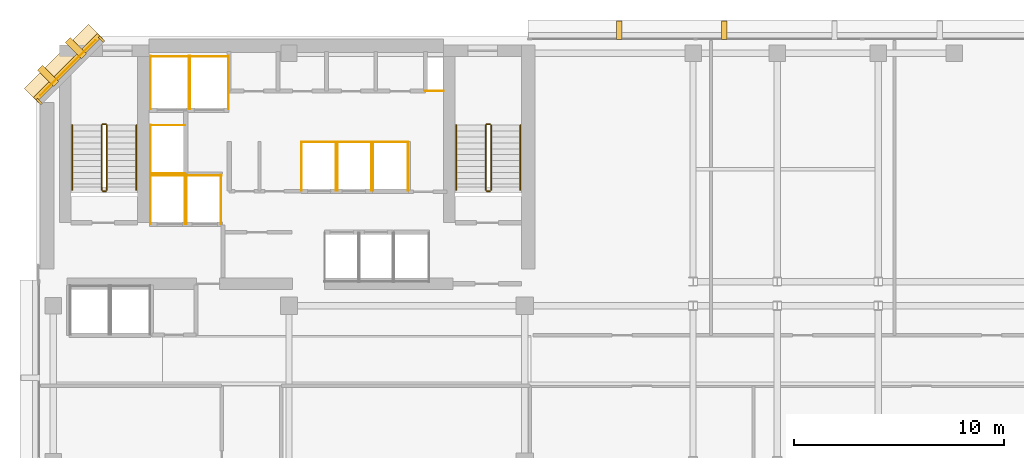
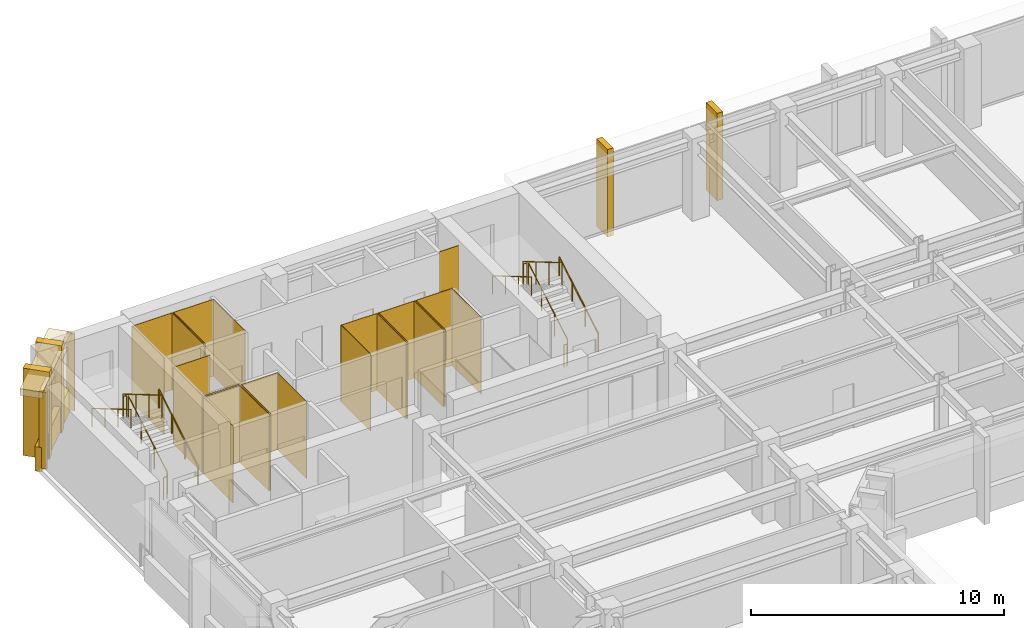
# One storey, part 11 of 12: 34 coverings, 12 railings.
"""IFC4 building model written with IfcOpenShell, lengths in metres."""

from ifc_helpers import new_model, si_unit, direction, frame, origin, origin_2d, place, context, subcontext, project, spatial, polyline, rectangle, circle, outline, extrude, material, layer, layer_set, type_object, element, save


model = new_model("IFC4")

# Units and contexts
model_context = context("Model", 3, precision=1e-05, world=origin(), true_north=direction((0.0, 1.0)))
body_context = subcontext(model_context, "Body", "Model", "MODEL_VIEW")
ifc_project = project(units=[si_unit("LENGTHUNIT", "METRE"), si_unit("AREAUNIT", "SQUARE_METRE"), si_unit("VOLUMEUNIT", "CUBIC_METRE"), si_unit("PLANEANGLEUNIT", "RADIAN"), si_unit("MASSUNIT", "GRAM", prefix="KILO")], contexts=[model_context])

# Site, building, storey
site_placement = place(None, origin())
site = spatial("IfcSite", under=ifc_project, at=site_placement, CompositionType="ELEMENT")
building_placement = place(site_placement, origin())
building = spatial("IfcBuilding", under=site, at=building_placement, Name="Kefirva Bronze Tower", CompositionType="ELEMENT")
storey_placement = place(building_placement, frame((0.0, 0.0, 203.280029296875)))
storey = spatial("IfcBuildingStorey", under=building, at=storey_placement, Name="L49", CompositionType="ELEMENT", Elevation=203.280029296875)

# Coverings
ifc_material_1 = material(Name="Bronze anodised aluminium", Category="aluminium")
ifc_layer_1 = layer(ifc_material_1, 0.02001953125, Name="Bronze anodised aluminium")
ifc_layer_set_1 = layer_set([ifc_layer_1], Name="Bronze anodised aluminium")
covering_type_1 = type_object("IfcCoveringType", Name="Anodised Bronze Spandrel Cladding 20mm", PredefinedType="CLADDING", material=ifc_layer_set_1)
covering_1_placement = place(storey_placement, frame((1.492919921875, 44.507080078125, 3.2900390625), z_axis=(0.0, 0.0, 1.0), x_axis=(-0.707106781187, -0.707106781187, 0.0)))
element("IfcCovering", 1, at=covering_1_placement, inside=storey, type_object=covering_type_1, Name="L49 Bronze Spandrel Cladding 6", PredefinedType="CLADDING", context=body_context, shape_type="SweptSolid", body=[
    extrude(rectangle(XDim=3.719482421875, YDim=0.02001953125, at=origin_2d()), origin(), (0.0, 0.0, 1.0), 0.39990234375),
])
for number, where, z_axis, x_axis, name in (
    (2, (3.08837890625, 45.862060546875, 0.0), (0.0, 0.0, 1.0), (-0.707106781187, -0.707106781187, 0.0), "L49 Facade Joint Closure Panel 6S"),
    (3, (0.137939453125, 42.91162109375, 0.0), (0.0, 0.0, 1.0), (-0.707106781187, -0.707106781187, 0.0), "L49 Facade Joint Closure Panel 6E"),
):
    element("IfcCovering", number, at=place(storey_placement, frame(where, z_axis=z_axis, x_axis=x_axis)), inside=storey, type_object=covering_type_1, Name=name, PredefinedType="CLADDING", context=body_context, shape_type="SweptSolid", body=[
        extrude(rectangle(XDim=0.10009765625, YDim=0.320068359375, at=origin_2d()), origin(), (0.0, 0.0, 1.0), 3.7099609375),
    ])
covering_2_placement = place(storey_placement, frame((1.4716796875, 44.5283203125, -0.16015625), z_axis=(0.0, 0.0, 1.0), x_axis=(-0.707106781187, -0.707106781187, 0.0)))
element("IfcCovering", 4, at=covering_2_placement, inside=storey, type_object=covering_type_1, Name="L49 Streamline Horizontal Spandrel Band 9", PredefinedType="CLADDING", context=body_context, shape_type="SweptSolid", body=[
    extrude(rectangle(XDim=4.28271484375, YDim=0.280029296875, at=origin_2d()), origin(), (0.0, 0.0, 1.0), 1.179931640625),
])
covering_3_placement = place(storey_placement, origin())
element("IfcCovering", 5, at=covering_3_placement, inside=storey, type_object=covering_type_1, Name="L49 Lift FF1 Hoistway Liner N", PredefinedType="CLADDING", context=body_context, shape_type="SweptSolid", body=[
    extrude(outline(polyline([(5.39990234375, 39.389892578125), (7.080078125, 39.389892578125), (7.080078125, 39.409912109375), (5.39990234375, 39.409912109375), (5.39990234375, 39.389892578125)])), origin(), (0.0, 0.0, 1.0), 3.7099609375),
])
covering_4_placement = place(storey_placement, origin())
element("IfcCovering", 6, at=covering_4_placement, inside=storey, type_object=covering_type_1, Name="L49 Lift FF1 Hoistway Liner W", PredefinedType="CLADDING", context=body_context, shape_type="SweptSolid", body=[
    extrude(outline(polyline([(5.409912109375, 37.080078125), (5.429931640625, 37.080078125), (5.429931640625, 39.419921875), (5.409912109375, 39.419921875), (5.409912109375, 37.080078125)])), origin(), (0.0, 0.0, 1.0), 3.7099609375),
])
covering_5_placement = place(storey_placement, origin())
element("IfcCovering", 7, at=covering_5_placement, inside=storey, type_object=covering_type_1, Name="L49 Lift FF1 Hoistway Liner E", PredefinedType="CLADDING", context=body_context, shape_type="SweptSolid", body=[
    extrude(outline(polyline([(7.050048828125, 37.080078125), (7.070068359375, 37.080078125), (7.070068359375, 39.419921875), (7.050048828125, 39.419921875), (7.050048828125, 37.080078125)])), origin(), (0.0, 0.0, 1.0), 3.7099609375),
])
covering_6_placement = place(storey_placement, origin())
element("IfcCovering", 8, at=covering_6_placement, inside=storey, type_object=covering_type_1, Name="L49 Lift FF2 Hoistway Liner N", PredefinedType="CLADDING", context=body_context, shape_type="SweptSolid", body=[
    extrude(outline(polyline([(7.1201171875, 39.389892578125), (8.800048828125, 39.389892578125), (8.800048828125, 39.409912109375), (7.1201171875, 39.409912109375), (7.1201171875, 39.389892578125)])), origin(), (0.0, 0.0, 1.0), 3.7099609375),
])
covering_7_placement = place(storey_placement, origin())
element("IfcCovering", 9, at=covering_7_placement, inside=storey, type_object=covering_type_1, Name="L49 Lift FF2 Hoistway Liner W", PredefinedType="CLADDING", context=body_context, shape_type="SweptSolid", body=[
    extrude(outline(polyline([(7.1298828125, 37.080078125), (7.14990234375, 37.080078125), (7.14990234375, 39.419921875), (7.1298828125, 39.419921875), (7.1298828125, 37.080078125)])), origin(), (0.0, 0.0, 1.0), 3.7099609375),
])
covering_8_placement = place(storey_placement, origin())
element("IfcCovering", 10, at=covering_8_placement, inside=storey, type_object=covering_type_1, Name="L49 Lift FF2 Hoistway Liner E", PredefinedType="CLADDING", context=body_context, shape_type="SweptSolid", body=[
    extrude(outline(polyline([(8.77001953125, 37.080078125), (8.7900390625, 37.080078125), (8.7900390625, 39.419921875), (8.77001953125, 39.419921875), (8.77001953125, 37.080078125)])), origin(), (0.0, 0.0, 1.0), 3.7099609375),
])
covering_9_placement = place(storey_placement, origin())
element("IfcCovering", 11, at=covering_9_placement, inside=storey, type_object=covering_type_1, Name="L49 Lift SV1 Hoistway Liner N", PredefinedType="CLADDING", context=body_context, shape_type="SweptSolid", body=[
    extrude(outline(polyline([(5.39990234375, 45.0400390625), (7.260009765625, 45.0400390625), (7.260009765625, 45.06005859375), (5.39990234375, 45.06005859375), (5.39990234375, 45.0400390625)])), origin(), (0.0, 0.0, 1.0), 3.7099609375),
])
covering_10_placement = place(storey_placement, origin())
element("IfcCovering", 12, at=covering_10_placement, inside=storey, type_object=covering_type_1, Name="L49 Lift SV1 Hoistway Liner W", PredefinedType="CLADDING", context=body_context, shape_type="SweptSolid", body=[
    extrude(outline(polyline([(5.409912109375, 42.530029296875), (5.429931640625, 42.530029296875), (5.429931640625, 45.070068359375), (5.409912109375, 45.070068359375), (5.409912109375, 42.530029296875)])), origin(), (0.0, 0.0, 1.0), 3.7099609375),
])
covering_11_placement = place(storey_placement, origin())
element("IfcCovering", 13, at=covering_11_placement, inside=storey, type_object=covering_type_1, Name="L49 Lift SV1 Hoistway Liner E", PredefinedType="CLADDING", context=body_context, shape_type="SweptSolid", body=[
    extrude(outline(polyline([(7.22998046875, 42.530029296875), (7.25, 42.530029296875), (7.25, 45.070068359375), (7.22998046875, 45.070068359375), (7.22998046875, 42.530029296875)])), origin(), (0.0, 0.0, 1.0), 3.7099609375),
])
covering_12_placement = place(storey_placement, origin())
element("IfcCovering", 14, at=covering_12_placement, inside=storey, type_object=covering_type_1, Name="L49 Lift SV2 Hoistway Liner N", PredefinedType="CLADDING", context=body_context, shape_type="SweptSolid", body=[
    extrude(outline(polyline([(7.280029296875, 45.0400390625), (9.139892578125, 45.0400390625), (9.139892578125, 45.06005859375), (7.280029296875, 45.06005859375), (7.280029296875, 45.0400390625)])), origin(), (0.0, 0.0, 1.0), 3.7099609375),
])
covering_13_placement = place(storey_placement, origin())
element("IfcCovering", 15, at=covering_13_placement, inside=storey, type_object=covering_type_1, Name="L49 Lift SV2 Hoistway Liner W", PredefinedType="CLADDING", context=body_context, shape_type="SweptSolid", body=[
    extrude(outline(polyline([(7.2900390625, 42.530029296875), (7.31005859375, 42.530029296875), (7.31005859375, 45.070068359375), (7.2900390625, 45.070068359375), (7.2900390625, 42.530029296875)])), origin(), (0.0, 0.0, 1.0), 3.7099609375),
])
covering_14_placement = place(storey_placement, origin())
element("IfcCovering", 16, at=covering_14_placement, inside=storey, type_object=covering_type_1, Name="L49 Lift SV2 Hoistway Liner E", PredefinedType="CLADDING", context=body_context, shape_type="SweptSolid", body=[
    extrude(outline(polyline([(9.110107421875, 42.530029296875), (9.1298828125, 42.530029296875), (9.1298828125, 45.070068359375), (9.110107421875, 45.070068359375), (9.110107421875, 42.530029296875)])), origin(), (0.0, 0.0, 1.0), 3.7099609375),
])
covering_15_placement = place(storey_placement, origin())
element("IfcCovering", 17, at=covering_15_placement, inside=storey, type_object=covering_type_1, Name="L49 Lift MP3 Hoistway Liner N", PredefinedType="CLADDING", context=body_context, shape_type="SweptSolid", body=[
    extrude(outline(polyline([(12.580078125, 40.969970703125), (14.25, 40.969970703125), (14.25, 40.989990234375), (12.580078125, 40.989990234375), (12.580078125, 40.969970703125)])), origin(), (0.0, 0.0, 1.0), 3.7099609375),
])
covering_16_placement = place(storey_placement, origin())
element("IfcCovering", 18, at=covering_16_placement, inside=storey, type_object=covering_type_1, Name="L49 Lift MP3 Hoistway Liner W", PredefinedType="CLADDING", context=body_context, shape_type="SweptSolid", body=[
    extrude(outline(polyline([(12.590087890625, 38.659912109375), (12.610107421875, 38.659912109375), (12.610107421875, 41.0), (12.590087890625, 41.0), (12.590087890625, 38.659912109375)])), origin(), (0.0, 0.0, 1.0), 3.7099609375),
])
covering_17_placement = place(storey_placement, origin())
element("IfcCovering", 19, at=covering_17_placement, inside=storey, type_object=covering_type_1, Name="L49 Lift MP3 Hoistway Liner E", PredefinedType="CLADDING", context=body_context, shape_type="SweptSolid", body=[
    extrude(outline(polyline([(14.219970703125, 38.659912109375), (14.239990234375, 38.659912109375), (14.239990234375, 41.0), (14.219970703125, 41.0), (14.219970703125, 38.659912109375)])), origin(), (0.0, 0.0, 1.0), 3.7099609375),
])
covering_18_placement = place(storey_placement, origin())
element("IfcCovering", 20, at=covering_18_placement, inside=storey, type_object=covering_type_1, Name="L49 Lift MP4 Hoistway Liner N", PredefinedType="CLADDING", context=body_context, shape_type="SweptSolid", body=[
    extrude(outline(polyline([(14.280029296875, 40.969970703125), (15.949951171875, 40.969970703125), (15.949951171875, 40.989990234375), (14.280029296875, 40.989990234375), (14.280029296875, 40.969970703125)])), origin(), (0.0, 0.0, 1.0), 3.7099609375),
])
covering_19_placement = place(storey_placement, origin())
element("IfcCovering", 21, at=covering_19_placement, inside=storey, type_object=covering_type_1, Name="L49 Lift MP4 Hoistway Liner W", PredefinedType="CLADDING", context=body_context, shape_type="SweptSolid", body=[
    extrude(outline(polyline([(14.2900390625, 38.659912109375), (14.31005859375, 38.659912109375), (14.31005859375, 41.0), (14.2900390625, 41.0), (14.2900390625, 38.659912109375)])), origin(), (0.0, 0.0, 1.0), 3.7099609375),
])
covering_20_placement = place(storey_placement, origin())
element("IfcCovering", 22, at=covering_20_placement, inside=storey, type_object=covering_type_1, Name="L49 Lift MP4 Hoistway Liner E", PredefinedType="CLADDING", context=body_context, shape_type="SweptSolid", body=[
    extrude(outline(polyline([(15.919921875, 38.659912109375), (15.93994140625, 38.659912109375), (15.93994140625, 41.0), (15.919921875, 41.0), (15.919921875, 38.659912109375)])), origin(), (0.0, 0.0, 1.0), 3.7099609375),
])
covering_21_placement = place(storey_placement, origin())
element("IfcCovering", 23, at=covering_21_placement, inside=storey, type_object=covering_type_1, Name="L49 Lift HP2 Hoistway Liner N", PredefinedType="CLADDING", context=body_context, shape_type="SweptSolid", body=[
    extrude(outline(polyline([(15.97998046875, 40.969970703125), (17.669921875, 40.969970703125), (17.669921875, 40.989990234375), (15.97998046875, 40.989990234375), (15.97998046875, 40.969970703125)])), origin(), (0.0, 0.0, 1.0), 3.7099609375),
])
covering_22_placement = place(storey_placement, origin())
element("IfcCovering", 24, at=covering_22_placement, inside=storey, type_object=covering_type_1, Name="L49 Lift HP2 Hoistway Liner W", PredefinedType="CLADDING", context=body_context, shape_type="SweptSolid", body=[
    extrude(outline(polyline([(15.989990234375, 38.659912109375), (16.010009765625, 38.659912109375), (16.010009765625, 41.0), (15.989990234375, 41.0), (15.989990234375, 38.659912109375)])), origin(), (0.0, 0.0, 1.0), 3.7099609375),
])
covering_23_placement = place(storey_placement, origin())
element("IfcCovering", 25, at=covering_23_placement, inside=storey, type_object=covering_type_1, Name="L49 Lift HP2 Hoistway Liner E", PredefinedType="CLADDING", context=body_context, shape_type="SweptSolid", body=[
    extrude(outline(polyline([(17.639892578125, 38.659912109375), (17.659912109375, 38.659912109375), (17.659912109375, 41.0), (17.639892578125, 41.0), (17.639892578125, 38.659912109375)])), origin(), (0.0, 0.0, 1.0), 3.7099609375),
])
covering_24_placement = place(storey_placement, origin())
element("IfcCovering", 26, at=covering_24_placement, inside=storey, type_object=covering_type_1, Name="L49 Lift HP3 Hoistway Liner N", PredefinedType="CLADDING", context=body_context, shape_type="SweptSolid", body=[
    extrude(outline(polyline([(5.39990234375, 41.77001953125), (7.080078125, 41.77001953125), (7.080078125, 41.7900390625), (5.39990234375, 41.7900390625), (5.39990234375, 41.77001953125)])), origin(), (0.0, 0.0, 1.0), 3.7099609375),
])
covering_25_placement = place(storey_placement, origin())
element("IfcCovering", 27, at=covering_25_placement, inside=storey, type_object=covering_type_1, Name="L49 Lift HP3 Hoistway Liner S", PredefinedType="CLADDING", context=body_context, shape_type="SweptSolid", body=[
    extrude(outline(polyline([(5.39990234375, 39.469970703125), (7.080078125, 39.469970703125), (7.080078125, 39.489990234375), (5.39990234375, 39.489990234375), (5.39990234375, 39.469970703125)])), origin(), (0.0, 0.0, 1.0), 3.7099609375),
])
covering_26_placement = place(storey_placement, origin())
element("IfcCovering", 28, at=covering_26_placement, inside=storey, type_object=covering_type_1, Name="L49 Lift HP3 Hoistway Liner W", PredefinedType="CLADDING", context=body_context, shape_type="SweptSolid", body=[
    extrude(outline(polyline([(5.409912109375, 39.4599609375), (5.429931640625, 39.4599609375), (5.429931640625, 41.800048828125), (5.409912109375, 41.800048828125), (5.409912109375, 39.4599609375)])), origin(), (0.0, 0.0, 1.0), 3.7099609375),
])
covering_27_placement = place(storey_placement, origin())
element("IfcCovering", 29, at=covering_27_placement, inside=storey, type_object=covering_type_1, Name="L49 Core MEP Riser Shaft Liner South", PredefinedType="CLADDING", context=body_context, shape_type="SweptSolid", body=[
    extrude(outline(polyline([(18.47998046875, 43.39990234375), (19.360107421875, 43.39990234375), (19.360107421875, 43.429931640625), (18.47998046875, 43.429931640625), (18.47998046875, 43.39990234375)])), origin(), (0.0, 0.0, 1.0), 3.7099609375),
])

# Railings
ifc_material_2 = material(Name="Stainless steel 316", Category="steel")
railing_type_1 = type_object("IfcRailingType", Name="Interior Stair Guardrail 1100mm", PredefinedType="GUARDRAIL", material=ifc_material_2)
railing_1_placement = place(storey_placement, frame((3.35009765625, 38.699951171875, 0.1650390625)))
element("IfcRailing", 30, at=railing_1_placement, inside=storey, type_object=railing_type_1, Name="L49 ST-1 stair guard 1", PredefinedType="GUARDRAIL", context=body_context, shape_type="SweptSolid", body=[
    extrude(circle(Radius=0.02392578125, at=origin_2d()), frame((0.0, 0.0, 1.076171875), z_axis=(0.0, 0.861551262678, 0.507670583921), x_axis=(-1.0, 0.0, 0.0)), (0.0, 0.0, 1.0), 3.574951171875),
    extrude(circle(Radius=0.02099609375, at=origin_2d()), origin(), (0.0, 0.0, 1.0), 1.052001953125),
    extrude(circle(Radius=0.02099609375, at=origin_2d()), frame((0.0, 1.026611328125, 0.60498046875)), (0.0, 0.0, 1.0), 1.052001953125),
    extrude(circle(Radius=0.02099609375, at=origin_2d()), frame((0.0, 2.053466796875, 1.2099609375)), (0.0, 0.0, 1.0), 1.052001953125),
    extrude(circle(Radius=0.02099609375, at=origin_2d()), frame((0.0, 3.080078125, 1.81494140625)), (0.0, 0.0, 1.0), 1.052001953125),
])
railing_2_placement = place(storey_placement, frame((3.300048828125, 41.830078125, 1.97998046875)))
element("IfcRailing", 31, at=railing_2_placement, inside=storey, type_object=railing_type_1, Name="L49 ST-1 stair guard 2", PredefinedType="GUARDRAIL", context=body_context, shape_type="SweptSolid", body=[
    extrude(circle(Radius=0.02392578125, at=origin_2d()), frame((0.0, 0.0, 1.076171875), z_axis=(-1.0, 0.0, 0.0), x_axis=(0.0, -1.0, 0.0)), (0.0, 0.0, 1.0), 0.150146484375),
    extrude(circle(Radius=0.02099609375, at=origin_2d()), origin(), (0.0, 0.0, 1.0), 1.052001953125),
    extrude(circle(Radius=0.02099609375, at=origin_2d()), frame((-0.150146484375, 0.0, 0.0)), (0.0, 0.0, 1.0), 1.052001953125),
])
railing_3_placement = place(storey_placement, frame((3.10009765625, 41.780029296875, 2.14501953125)))
element("IfcRailing", 32, at=railing_3_placement, inside=storey, type_object=railing_type_1, Name="L49 ST-1 stair guard 3", PredefinedType="GUARDRAIL", context=body_context, shape_type="SweptSolid", body=[
    extrude(circle(Radius=0.02392578125, at=origin_2d()), frame((0.0, 0.0, 1.076171875), z_axis=(0.0, -0.861551262678, 0.507670583921), x_axis=(1.0, 0.0, 0.0)), (0.0, 0.0, 1.0), 3.574951171875),
    extrude(circle(Radius=0.02099609375, at=origin_2d()), origin(), (0.0, 0.0, 1.0), 1.052001953125),
    extrude(circle(Radius=0.02099609375, at=origin_2d()), frame((0.0, -1.026611328125, 0.60498046875)), (0.0, 0.0, 1.0), 1.052001953125),
    extrude(circle(Radius=0.02099609375, at=origin_2d()), frame((0.0, -2.053466796875, 1.2099609375)), (0.0, 0.0, 1.0), 1.052001953125),
    extrude(circle(Radius=0.02099609375, at=origin_2d()), frame((0.0, -3.080078125, 1.81494140625)), (0.0, 0.0, 1.0), 1.052001953125),
])
railing_4_placement = place(storey_placement, frame((3.300048828125, 38.64990234375, 0.0)))
element("IfcRailing", 33, at=railing_4_placement, inside=storey, type_object=railing_type_1, Name="L49 ST-1 stair guard 4", PredefinedType="GUARDRAIL", context=body_context, shape_type="SweptSolid", body=[
    extrude(circle(Radius=0.02392578125, at=origin_2d()), frame((0.0, 0.0, 1.076171875), z_axis=(-1.0, 0.0, 0.0), x_axis=(0.0, -1.0, 0.0)), (0.0, 0.0, 1.0), 0.150146484375),
    extrude(circle(Radius=0.02099609375, at=origin_2d()), origin(), (0.0, 0.0, 1.0), 1.052001953125),
    extrude(circle(Radius=0.02099609375, at=origin_2d()), frame((-0.150146484375, 0.0, 0.0)), (0.0, 0.0, 1.0), 1.052001953125),
])
railing_5_placement = place(storey_placement, frame((21.60009765625, 38.699951171875, 0.1650390625)))
element("IfcRailing", 34, at=railing_5_placement, inside=storey, type_object=railing_type_1, Name="L49 ST-2 stair guard 1", PredefinedType="GUARDRAIL", context=body_context, shape_type="SweptSolid", body=[
    extrude(circle(Radius=0.02392578125, at=origin_2d()), frame((0.0, 0.0, 1.076171875), z_axis=(0.0, 0.861551262678, 0.507670583921), x_axis=(-1.0, 0.0, 0.0)), (0.0, 0.0, 1.0), 3.574951171875),
    extrude(circle(Radius=0.02099609375, at=origin_2d()), origin(), (0.0, 0.0, 1.0), 1.052001953125),
    extrude(circle(Radius=0.02099609375, at=origin_2d()), frame((0.0, 1.026611328125, 0.60498046875)), (0.0, 0.0, 1.0), 1.052001953125),
    extrude(circle(Radius=0.02099609375, at=origin_2d()), frame((0.0, 2.053466796875, 1.2099609375)), (0.0, 0.0, 1.0), 1.052001953125),
    extrude(circle(Radius=0.02099609375, at=origin_2d()), frame((0.0, 3.080078125, 1.81494140625)), (0.0, 0.0, 1.0), 1.052001953125),
])
railing_6_placement = place(storey_placement, frame((21.550048828125, 41.830078125, 1.97998046875)))
element("IfcRailing", 35, at=railing_6_placement, inside=storey, type_object=railing_type_1, Name="L49 ST-2 stair guard 2", PredefinedType="GUARDRAIL", context=body_context, shape_type="SweptSolid", body=[
    extrude(circle(Radius=0.02392578125, at=origin_2d()), frame((0.0, 0.0, 1.076171875), z_axis=(-1.0, 0.0, 0.0), x_axis=(0.0, -1.0, 0.0)), (0.0, 0.0, 1.0), 0.150146484375),
    extrude(circle(Radius=0.02099609375, at=origin_2d()), origin(), (0.0, 0.0, 1.0), 1.052001953125),
    extrude(circle(Radius=0.02099609375, at=origin_2d()), frame((-0.150146484375, 0.0, 0.0)), (0.0, 0.0, 1.0), 1.052001953125),
])
railing_7_placement = place(storey_placement, frame((21.35009765625, 41.780029296875, 2.14501953125)))
element("IfcRailing", 36, at=railing_7_placement, inside=storey, type_object=railing_type_1, Name="L49 ST-2 stair guard 3", PredefinedType="GUARDRAIL", context=body_context, shape_type="SweptSolid", body=[
    extrude(circle(Radius=0.02392578125, at=origin_2d()), frame((0.0, 0.0, 1.076171875), z_axis=(0.0, -0.861551262678, 0.507670583921), x_axis=(1.0, 0.0, 0.0)), (0.0, 0.0, 1.0), 3.574951171875),
    extrude(circle(Radius=0.02099609375, at=origin_2d()), origin(), (0.0, 0.0, 1.0), 1.052001953125),
    extrude(circle(Radius=0.02099609375, at=origin_2d()), frame((0.0, -1.026611328125, 0.60498046875)), (0.0, 0.0, 1.0), 1.052001953125),
    extrude(circle(Radius=0.02099609375, at=origin_2d()), frame((0.0, -2.053466796875, 1.2099609375)), (0.0, 0.0, 1.0), 1.052001953125),
    extrude(circle(Radius=0.02099609375, at=origin_2d()), frame((0.0, -3.080078125, 1.81494140625)), (0.0, 0.0, 1.0), 1.052001953125),
])
railing_8_placement = place(storey_placement, frame((21.550048828125, 38.64990234375, 0.0)))
element("IfcRailing", 37, at=railing_8_placement, inside=storey, type_object=railing_type_1, Name="L49 ST-2 stair guard 4", PredefinedType="GUARDRAIL", context=body_context, shape_type="SweptSolid", body=[
    extrude(circle(Radius=0.02392578125, at=origin_2d()), frame((0.0, 0.0, 1.076171875), z_axis=(-1.0, 0.0, 0.0), x_axis=(0.0, -1.0, 0.0)), (0.0, 0.0, 1.0), 0.150146484375),
    extrude(circle(Radius=0.02099609375, at=origin_2d()), origin(), (0.0, 0.0, 1.0), 1.052001953125),
    extrude(circle(Radius=0.02099609375, at=origin_2d()), frame((-0.150146484375, 0.0, 0.0)), (0.0, 0.0, 1.0), 1.052001953125),
])
railing_type_2 = type_object("IfcRailingType", Name="Stair Pitch Handrail 900mm", PredefinedType="HANDRAIL", material=ifc_material_2)
railing_9_placement = place(storey_placement, frame((4.75, 38.699951171875, 0.1650390625)))
element("IfcRailing", 38, at=railing_9_placement, inside=storey, type_object=railing_type_2, Name="L49 ST-1 stair handrail 1", PredefinedType="HANDRAIL", context=body_context, shape_type="SweptSolid", body=[
    extrude(circle(Radius=0.02392578125, at=origin_2d()), frame((0.0, 0.0, 0.8759765625), z_axis=(0.0, 0.861551262678, 0.507670583921), x_axis=(-1.0, 0.0, 0.0)), (0.0, 0.0, 1.0), 3.574951171875),
    extrude(circle(Radius=0.02099609375, at=origin_2d()), origin(), (0.0, 0.0, 1.0), 0.851806640625),
    extrude(circle(Radius=0.02099609375, at=origin_2d()), frame((0.0, 1.026611328125, 0.60498046875)), (0.0, 0.0, 1.0), 0.851806640625),
    extrude(circle(Radius=0.02099609375, at=origin_2d()), frame((0.0, 2.053466796875, 1.2099609375)), (0.0, 0.0, 1.0), 0.851806640625),
    extrude(circle(Radius=0.02099609375, at=origin_2d()), frame((0.0, 3.080078125, 1.81494140625)), (0.0, 0.0, 1.0), 0.851806640625),
])
railing_10_placement = place(storey_placement, frame((1.699951171875, 41.780029296875, 2.14501953125)))
element("IfcRailing", 39, at=railing_10_placement, inside=storey, type_object=railing_type_2, Name="L49 ST-1 stair handrail 2", PredefinedType="HANDRAIL", context=body_context, shape_type="SweptSolid", body=[
    extrude(circle(Radius=0.02392578125, at=origin_2d()), frame((0.0, 0.0, 0.8759765625), z_axis=(0.0, -0.861551262678, 0.507670583921), x_axis=(1.0, 0.0, 0.0)), (0.0, 0.0, 1.0), 3.574951171875),
    extrude(circle(Radius=0.02099609375, at=origin_2d()), origin(), (0.0, 0.0, 1.0), 0.851806640625),
    extrude(circle(Radius=0.02099609375, at=origin_2d()), frame((0.0, -1.026611328125, 0.60498046875)), (0.0, 0.0, 1.0), 0.851806640625),
    extrude(circle(Radius=0.02099609375, at=origin_2d()), frame((0.0, -2.053466796875, 1.2099609375)), (0.0, 0.0, 1.0), 0.851806640625),
    extrude(circle(Radius=0.02099609375, at=origin_2d()), frame((0.0, -3.080078125, 1.81494140625)), (0.0, 0.0, 1.0), 0.851806640625),
])
railing_11_placement = place(storey_placement, frame((23.0, 38.699951171875, 0.1650390625)))
element("IfcRailing", 40, at=railing_11_placement, inside=storey, type_object=railing_type_2, Name="L49 ST-2 stair handrail 1", PredefinedType="HANDRAIL", context=body_context, shape_type="SweptSolid", body=[
    extrude(circle(Radius=0.02392578125, at=origin_2d()), frame((0.0, 0.0, 0.8759765625), z_axis=(0.0, 0.861551262678, 0.507670583921), x_axis=(-1.0, 0.0, 0.0)), (0.0, 0.0, 1.0), 3.574951171875),
    extrude(circle(Radius=0.02099609375, at=origin_2d()), origin(), (0.0, 0.0, 1.0), 0.851806640625),
    extrude(circle(Radius=0.02099609375, at=origin_2d()), frame((0.0, 1.026611328125, 0.60498046875)), (0.0, 0.0, 1.0), 0.851806640625),
    extrude(circle(Radius=0.02099609375, at=origin_2d()), frame((0.0, 2.053466796875, 1.2099609375)), (0.0, 0.0, 1.0), 0.851806640625),
    extrude(circle(Radius=0.02099609375, at=origin_2d()), frame((0.0, 3.080078125, 1.81494140625)), (0.0, 0.0, 1.0), 0.851806640625),
])
railing_12_placement = place(storey_placement, frame((19.949951171875, 41.780029296875, 2.14501953125)))
element("IfcRailing", 41, at=railing_12_placement, inside=storey, type_object=railing_type_2, Name="L49 ST-2 stair handrail 2", PredefinedType="HANDRAIL", context=body_context, shape_type="SweptSolid", body=[
    extrude(circle(Radius=0.02392578125, at=origin_2d()), frame((0.0, 0.0, 0.8759765625), z_axis=(0.0, -0.861551262678, 0.507670583921), x_axis=(1.0, 0.0, 0.0)), (0.0, 0.0, 1.0), 3.574951171875),
    extrude(circle(Radius=0.02099609375, at=origin_2d()), origin(), (0.0, 0.0, 1.0), 0.851806640625),
    extrude(circle(Radius=0.02099609375, at=origin_2d()), frame((0.0, -1.026611328125, 0.60498046875)), (0.0, 0.0, 1.0), 0.851806640625),
    extrude(circle(Radius=0.02099609375, at=origin_2d()), frame((0.0, -2.053466796875, 1.2099609375)), (0.0, 0.0, 1.0), 0.851806640625),
    extrude(circle(Radius=0.02099609375, at=origin_2d()), frame((0.0, -3.080078125, 1.81494140625)), (0.0, 0.0, 1.0), 0.851806640625),
])

# Coverings
ifc_layer_2 = layer(ifc_material_1, 0.179931640625, Name="Bronze anodised aluminium")
ifc_layer_set_2 = layer_set([ifc_layer_2], Name="Bronze anodised aluminium")
covering_type_2 = type_object("IfcCoveringType", Name="Streamline Bronze Sunshade Eyebrow Cladding 180mm", PredefinedType="CLADDING", material=ifc_layer_set_2)
covering_28_placement = place(storey_placement, frame((1.28076171875, 44.71923828125, 3.39013671875), z_axis=(0.0, 0.0, 1.0), x_axis=(-0.707106781187, -0.707106781187, 0.0)))
element("IfcCovering", 42, at=covering_28_placement, inside=storey, type_object=covering_type_2, Name="L49 Streamline Bronze Sunshade Eyebrow 9", PredefinedType="CLADDING", context=body_context, shape_type="SweptSolid", body=[
    extrude(rectangle(XDim=4.322509765625, YDim=0.93994140625, at=origin_2d()), origin(), (0.0, 0.0, 1.0), 0.320068359375),
])
ifc_layer_3 = layer(ifc_material_1, 0.260009765625, Name="Bronze anodised aluminium")
ifc_layer_set_3 = layer_set([ifc_layer_3], Name="Bronze anodised aluminium")
covering_type_3 = type_object("IfcCoveringType", Name="Unbroken Bronze Buttress Fin Cladding 260mm", PredefinedType="CLADDING", material=ifc_layer_set_3)
for number, where, z_axis, x_axis, name in (
    (43, (32.68505859375, 46.300048828125, -0.25), (0.0, 0.0, 1.0), (-1.0, 0.0, 0.0), "L49 Unbroken Vertical Bronze Rib Fin 19"),
    (44, (27.68798828125, 46.300048828125, -0.25), (0.0, 0.0, 1.0), (-1.0, 0.0, 0.0), "L49 Unbroken Vertical Bronze Rib Fin 20"),
):
    element("IfcCovering", number, at=place(storey_placement, frame(where, z_axis=z_axis, x_axis=x_axis)), inside=storey, type_object=covering_type_3, Name=name, PredefinedType="CLADDING", context=body_context, shape_type="SweptSolid", body=[
        extrude(rectangle(XDim=0.260009765625, YDim=0.8798828125, at=origin_2d()), origin(), (0.0, 0.0, 1.0), 4.2099609375),
    ])
for number, where, z_axis, x_axis, name in (
    (45, (1.877197265625, 45.44287109375, -0.25), (0.0, 0.0, 1.0), (-0.707106781187, -0.707106781187, 0.0), "L49 Chamfered Corner Buttress Fin Cladding 21"),
    (46, (0.55712890625, 44.122802734375, -0.25), (0.0, 0.0, 1.0), (-0.707106781187, -0.707106781187, 0.0), "L49 Chamfered Corner Buttress Fin Cladding 22"),
):
    element("IfcCovering", number, at=place(storey_placement, frame(where, z_axis=z_axis, x_axis=x_axis)), inside=storey, type_object=covering_type_3, Name=name, PredefinedType="CLADDING", context=body_context, shape_type="SweptSolid", body=[
        extrude(rectangle(XDim=0.340087890625, YDim=1.080078125, at=origin_2d()), origin(), (0.0, 0.0, 1.0), 4.2099609375),
    ])

save(model, "model.ifc")
